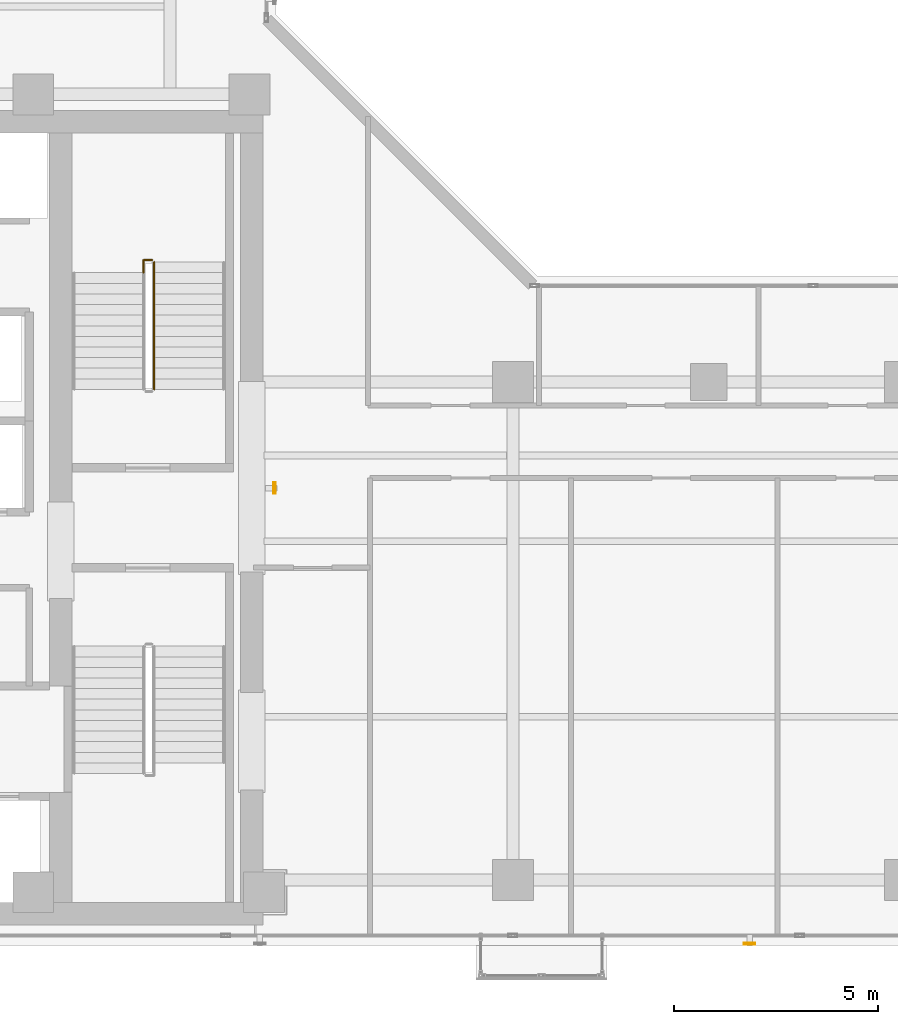
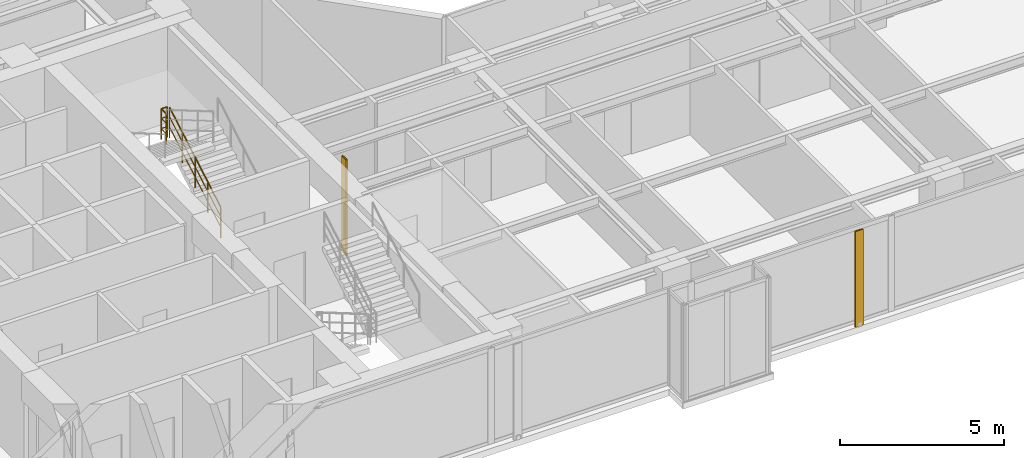
# One storey, part 21 of 23: 2 railings, 2 shading devices.
"""IFC4 building model written with IfcOpenShell, lengths in metres."""

from ifc_helpers import new_model, si_unit, direction, frame, origin, origin_2d, place, context, subcontext, project, spatial, hollow_rectangle, circle, extrude, material, material_profile, profile_set, type_object, element, save


model = new_model("IFC4")

# Units and contexts
model_context = context("Model", 3, precision=1e-05, world=origin(), true_north=direction((0.0, 1.0)))
body_context = subcontext(model_context, "Body", "Model", "MODEL_VIEW")
ifc_project = project(units=[si_unit("LENGTHUNIT", "METRE"), si_unit("AREAUNIT", "SQUARE_METRE"), si_unit("VOLUMEUNIT", "CUBIC_METRE"), si_unit("PLANEANGLEUNIT", "RADIAN"), si_unit("MASSUNIT", "GRAM", prefix="KILO")], contexts=[model_context])

# Site, building, storey
site_placement = place(None, origin())
site = spatial("IfcSite", under=ifc_project, at=site_placement, CompositionType="ELEMENT")
building_placement = place(site_placement, origin())
building = spatial("IfcBuilding", under=site, at=building_placement, Name="Kolvaren Waterfront Exchange", CompositionType="ELEMENT")
storey_placement = place(building_placement, frame((0.0, 0.0, 215.89990234375)))
storey = spatial("IfcBuildingStorey", under=building, at=storey_placement, Name="L55", CompositionType="ELEMENT", Elevation=215.89990234375)

# Shading devices
ifc_material_1 = material(Name="Anodised bronze aluminium 6063-T6", Category="aluminium")
ifc_material_profile = material_profile(ifc_material_1, hollow_rectangle(XDim=0.054931640625, YDim=0.280029296875, WallThickness=0.00439453125, at=origin_2d()), Name="BRZ-FIN-280x55x4.5")
ifc_profile_set = profile_set([ifc_material_profile], Name="Anodised bronze aluminium 6063-T6")
shading_device_type = type_object("IfcShadingDeviceType", Name="ARC-FIN-280", PredefinedType="USERDEFINED", material=ifc_profile_set)
for number, where, z_axis, x_axis, name in (
    (1, (33.0, 3.639892578125, 0.0), (0.0, 0.0, 1.0), (0.0, -1.0, 0.0), "L55 anodised bronze solar shading fin FIN-L55-S3"),
    (2, (21.360107421875, 14.800048828125, 0.0), (0.0, 0.0, 1.0), (1.0, 0.0, 0.0), "L55 anodised bronze solar shading fin FIN-L55-E1"),
):
    element("IfcShadingDevice", number, at=place(storey_placement, frame(where, z_axis=z_axis, x_axis=x_axis)), inside=storey, type_object=shading_device_type, Name=name, ObjectType="SOLAR FIN", PredefinedType="USERDEFINED", context=body_context, shape_type="SweptSolid", body=[
        extrude(hollow_rectangle(XDim=0.054931640625, YDim=0.280029296875, WallThickness=0.00439453125, at=origin_2d()), origin(), (0.0, 0.0, 1.0), 3.56005859375),
    ])

# Railings
ifc_material_2 = material(Name="Stainless steel 316", Category="steel")
railing_type = type_object("IfcRailingType", Name="ARC-GUARD-STAIR", PredefinedType="GUARDRAIL", material=ifc_material_2)
railing_1_placement = place(storey_placement, frame((18.409912109375, 17.219970703125, 0.152099609375)))
element("IfcRailing", 3, at=railing_1_placement, inside=storey, type_object=railing_type, Name="L55 ST2 stair guard 1", PredefinedType="GUARDRAIL", context=body_context, shape_type="SweptSolid", body=[
    extrude(circle(Radius=0.02392578125, at=origin_2d()), frame((0.0, 0.0, 1.1259765625), z_axis=(0.0, 0.86330811405, 0.504677223793), x_axis=(-1.0, 0.0, 0.0)), (0.0, 0.0, 1.0), 3.6142578125),
    extrude(circle(Radius=0.01611328125, at=origin_2d()), frame((0.0, 0.0, 0.390869140625), z_axis=(0.0, 0.86330811405, 0.504677223793), x_axis=(-1.0, 0.0, 0.0)), (0.0, 0.0, 1.0), 3.6142578125),
    extrude(circle(Radius=0.01611328125, at=origin_2d()), frame((0.0, 0.0, 0.7705078125), z_axis=(0.0, 0.86330811405, 0.504677223793), x_axis=(-1.0, 0.0, 0.0)), (0.0, 0.0, 1.0), 3.6142578125),
    extrude(circle(Radius=0.02099609375, at=origin_2d()), origin(), (0.0, 0.0, 1.0), 1.101806640625),
    extrude(circle(Radius=0.02099609375, at=origin_2d()), frame((0.0, 0.780029296875, 0.4560546875)), (0.0, 0.0, 1.0), 1.101806640625),
    extrude(circle(Radius=0.02099609375, at=origin_2d()), frame((0.0, 1.56005859375, 0.912109375)), (0.0, 0.0, 1.0), 1.101806640625),
    extrude(circle(Radius=0.02099609375, at=origin_2d()), frame((0.0, 2.340087890625, 1.367919921875)), (0.0, 0.0, 1.0), 1.101806640625),
    extrude(circle(Radius=0.02099609375, at=origin_2d()), frame((0.0, 3.1201171875, 1.823974609375)), (0.0, 0.0, 1.0), 1.101806640625),
])
railing_2_placement = place(storey_placement, frame((18.360107421875, 20.389892578125, 1.97607421875)))
element("IfcRailing", 4, at=railing_2_placement, inside=storey, type_object=railing_type, Name="L55 ST2 stair guard 2", PredefinedType="GUARDRAIL", context=body_context, shape_type="SweptSolid", body=[
    extrude(circle(Radius=0.02392578125, at=origin_2d()), frame((0.0, 0.0, 1.1259765625), z_axis=(-1.0, 0.0, 0.0), x_axis=(0.0, -1.0, 0.0)), (0.0, 0.0, 1.0), 0.210205078125),
    extrude(circle(Radius=0.01611328125, at=origin_2d()), frame((0.0, 0.0, 0.390869140625), z_axis=(-1.0, 0.0, 0.0), x_axis=(0.0, -1.0, 0.0)), (0.0, 0.0, 1.0), 0.210205078125),
    extrude(circle(Radius=0.01611328125, at=origin_2d()), frame((0.0, 0.0, 0.7705078125), z_axis=(-1.0, 0.0, 0.0), x_axis=(0.0, -1.0, 0.0)), (0.0, 0.0, 1.0), 0.210205078125),
    extrude(circle(Radius=0.02392578125, at=origin_2d()), frame((-0.210205078125, 0.0, 1.1259765625), z_axis=(0.0, -1.0, 0.0), x_axis=(1.0, 0.0, 0.0)), (0.0, 0.0, 1.0), 0.309814453125),
    extrude(circle(Radius=0.01611328125, at=origin_2d()), frame((-0.210205078125, 0.0, 0.390869140625), z_axis=(0.0, -1.0, 0.0), x_axis=(1.0, 0.0, 0.0)), (0.0, 0.0, 1.0), 0.309814453125),
    extrude(circle(Radius=0.01611328125, at=origin_2d()), frame((-0.210205078125, 0.0, 0.7705078125), z_axis=(0.0, -1.0, 0.0), x_axis=(1.0, 0.0, 0.0)), (0.0, 0.0, 1.0), 0.309814453125),
    extrude(circle(Radius=0.02099609375, at=origin_2d()), origin(), (0.0, 0.0, 1.0), 1.101806640625),
    extrude(circle(Radius=0.02099609375, at=origin_2d()), frame((-0.210205078125, 0.0, 0.0)), (0.0, 0.0, 1.0), 1.101806640625),
    extrude(circle(Radius=0.02099609375, at=origin_2d()), frame((-0.210205078125, -0.309814453125, 0.0)), (0.0, 0.0, 1.0), 1.101806640625),
])

save(model, "model.ifc")
